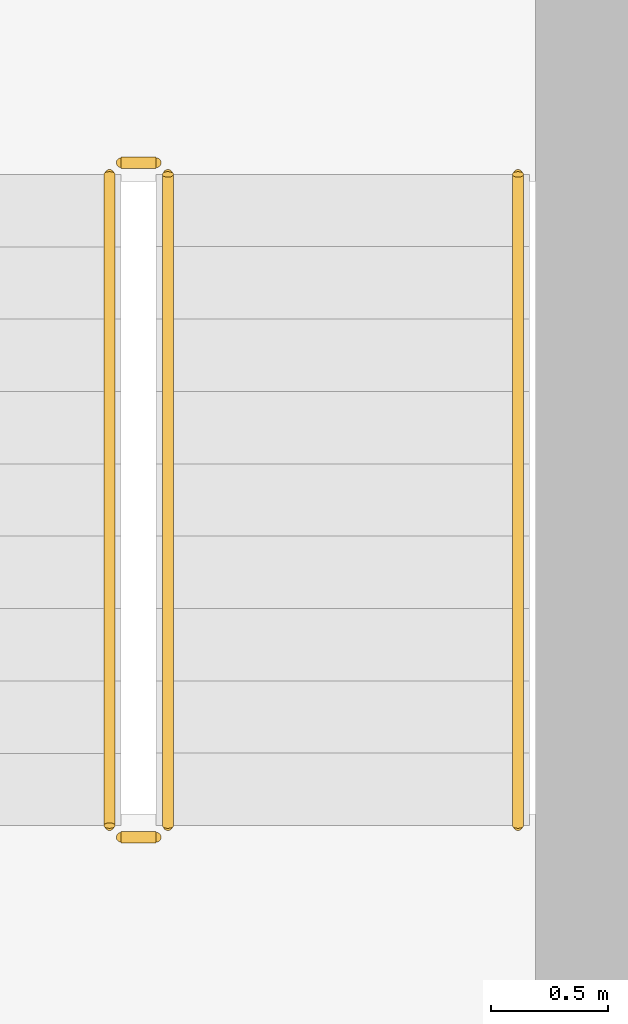
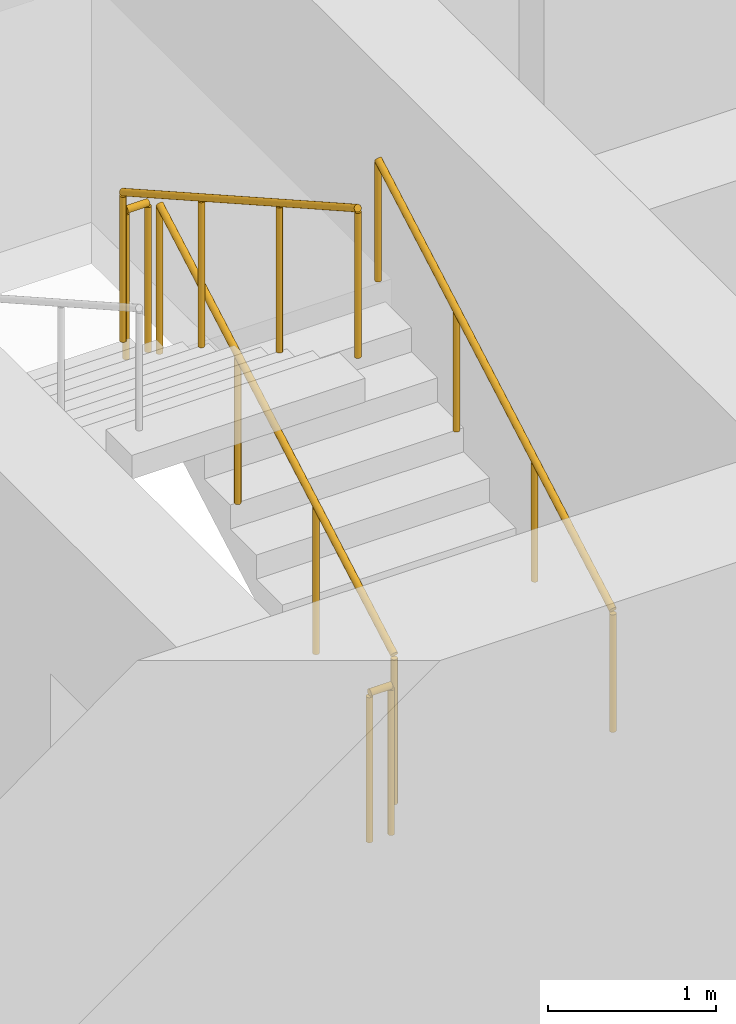
# One storey, part 18 of 22: 5 railings.
"""IFC4 building model written with IfcOpenShell, lengths in metres."""

from ifc_helpers import new_model, si_unit, direction, frame, origin, origin_2d, place, context, subcontext, project, spatial, circle, extrude, material, type_object, element, save


model = new_model("IFC4")

# Units and contexts
model_context = context("Model", 3, precision=1e-05, world=origin(), true_north=direction((0.0, 1.0)))
body_context = subcontext(model_context, "Body", "Model", "MODEL_VIEW")
ifc_project = project(units=[si_unit("LENGTHUNIT", "METRE"), si_unit("AREAUNIT", "SQUARE_METRE"), si_unit("VOLUMEUNIT", "CUBIC_METRE"), si_unit("PLANEANGLEUNIT", "RADIAN"), si_unit("MASSUNIT", "GRAM", prefix="KILO")], contexts=[model_context])

# Site, building, storey
site_placement = place(None, origin())
site = spatial("IfcSite", under=ifc_project, at=site_placement, CompositionType="ELEMENT")
building_placement = place(site_placement, origin())
building = spatial("IfcBuilding", under=site, at=building_placement, Name="Madar Terraces", CompositionType="ELEMENT")
storey_placement = place(building_placement, frame((0.0, 0.0, 76.800048828125)))
storey = spatial("IfcBuildingStorey", under=building, at=storey_placement, Name="L19", CompositionType="ELEMENT", Elevation=76.800048828125)

# Railings
ifc_material_1 = material(Name="Stainless steel railing", Category="steel")
railing_type_1 = type_object("IfcRailingType", Name="Stair guard 1100", PredefinedType="GUARDRAIL", material=ifc_material_1)
railing_1_placement = place(storey_placement, frame((21.199951171875, 17.60009765625, 0.175048828125)))
element("IfcRailing", 1, at=railing_1_placement, inside=storey, type_object=railing_type_1, Name="L19 ST1 stair guard 1", PredefinedType="GUARDRAIL", context=body_context, shape_type="SweptSolid", body=[
    extrude(circle(Radius=0.02392578125, at=origin_2d()), frame((0.0, 0.0, 1.076171875), z_axis=(0.0, 0.870815363784, 0.491610213684), x_axis=(-1.0, 0.0, 0.0)), (0.0, 0.0, 1.0), 3.20361328125),
    extrude(circle(Radius=0.02099609375, at=origin_2d()), origin(), (0.0, 0.0, 1.0), 1.052001953125),
    extrude(circle(Radius=0.02099609375, at=origin_2d()), frame((0.0, 0.929931640625, 0.52490234375)), (0.0, 0.0, 1.0), 1.052001953125),
    extrude(circle(Radius=0.02099609375, at=origin_2d()), frame((0.0, 1.85986328125, 1.050048828125)), (0.0, 0.0, 1.0), 1.052001953125),
    extrude(circle(Radius=0.02099609375, at=origin_2d()), frame((0.0, 2.789794921875, 1.574951171875)), (0.0, 0.0, 1.0), 1.052001953125),
])
railing_2_placement = place(storey_placement, frame((21.14990234375, 20.43994140625, 1.75)))
element("IfcRailing", 2, at=railing_2_placement, inside=storey, type_object=railing_type_1, Name="L19 ST1 stair guard 2", PredefinedType="GUARDRAIL", context=body_context, shape_type="SweptSolid", body=[
    extrude(circle(Radius=0.02392578125, at=origin_2d()), frame((0.0, 0.0, 1.076171875), z_axis=(-1.0, 0.0, 0.0), x_axis=(0.0, -1.0, 0.0)), (0.0, 0.0, 1.0), 0.14990234375),
    extrude(circle(Radius=0.02099609375, at=origin_2d()), origin(), (0.0, 0.0, 1.0), 1.052001953125),
    extrude(circle(Radius=0.02099609375, at=origin_2d()), frame((-0.14990234375, 0.0, 0.0)), (0.0, 0.0, 1.0), 1.052001953125),
])
railing_3_placement = place(storey_placement, frame((20.949951171875, 20.389892578125, 1.925048828125)))
element("IfcRailing", 3, at=railing_3_placement, inside=storey, type_object=railing_type_1, Name="L19 ST1 stair guard 3", PredefinedType="GUARDRAIL", context=body_context, shape_type="SweptSolid", body=[
    extrude(circle(Radius=0.02392578125, at=origin_2d()), frame((0.0, 0.0, 1.076171875), z_axis=(0.0, -0.870815363784, 0.491610213684), x_axis=(1.0, 0.0, 0.0)), (0.0, 0.0, 1.0), 3.20361328125),
    extrude(circle(Radius=0.02099609375, at=origin_2d()), origin(), (0.0, 0.0, 1.0), 1.052001953125),
    extrude(circle(Radius=0.02099609375, at=origin_2d()), frame((0.0, -0.929931640625, 0.52490234375)), (0.0, 0.0, 1.0), 1.052001953125),
    extrude(circle(Radius=0.02099609375, at=origin_2d()), frame((0.0, -1.85986328125, 1.050048828125)), (0.0, 0.0, 1.0), 1.052001953125),
    extrude(circle(Radius=0.02099609375, at=origin_2d()), frame((0.0, -2.789794921875, 1.574951171875)), (0.0, 0.0, 1.0), 1.052001953125),
])
railing_4_placement = place(storey_placement, frame((21.14990234375, 17.550048828125, 0.0)))
element("IfcRailing", 4, at=railing_4_placement, inside=storey, type_object=railing_type_1, Name="L19 ST1 stair guard 4", PredefinedType="GUARDRAIL", context=body_context, shape_type="SweptSolid", body=[
    extrude(circle(Radius=0.02392578125, at=origin_2d()), frame((0.0, 0.0, 1.076171875), z_axis=(-1.0, 0.0, 0.0), x_axis=(0.0, -1.0, 0.0)), (0.0, 0.0, 1.0), 0.14990234375),
    extrude(circle(Radius=0.02099609375, at=origin_2d()), origin(), (0.0, 0.0, 1.0), 1.052001953125),
    extrude(circle(Radius=0.02099609375, at=origin_2d()), frame((-0.14990234375, 0.0, 0.0)), (0.0, 0.0, 1.0), 1.052001953125),
])
ifc_material_2 = material(Name="Stainless steel railing", Category="steel")
railing_type_2 = type_object("IfcRailingType", Name="Stair handrail 900", PredefinedType="HANDRAIL", material=ifc_material_2)
railing_5_placement = place(storey_placement, frame((22.699951171875, 17.60009765625, 0.175048828125)))
element("IfcRailing", 5, at=railing_5_placement, inside=storey, type_object=railing_type_2, Name="L19 ST1 stair handrail 1", PredefinedType="HANDRAIL", context=body_context, shape_type="SweptSolid", body=[
    extrude(circle(Radius=0.02392578125, at=origin_2d()), frame((0.0, 0.0, 0.8759765625), z_axis=(0.0, 0.870815363784, 0.491610213684), x_axis=(-1.0, 0.0, 0.0)), (0.0, 0.0, 1.0), 3.20361328125),
    extrude(circle(Radius=0.02099609375, at=origin_2d()), origin(), (0.0, 0.0, 1.0), 0.851806640625),
    extrude(circle(Radius=0.02099609375, at=origin_2d()), frame((0.0, 0.929931640625, 0.52490234375)), (0.0, 0.0, 1.0), 0.851806640625),
    extrude(circle(Radius=0.02099609375, at=origin_2d()), frame((0.0, 1.85986328125, 1.050048828125)), (0.0, 0.0, 1.0), 0.851806640625),
    extrude(circle(Radius=0.02099609375, at=origin_2d()), frame((0.0, 2.789794921875, 1.574951171875)), (0.0, 0.0, 1.0), 0.851806640625),
])

save(model, "model.ifc")
